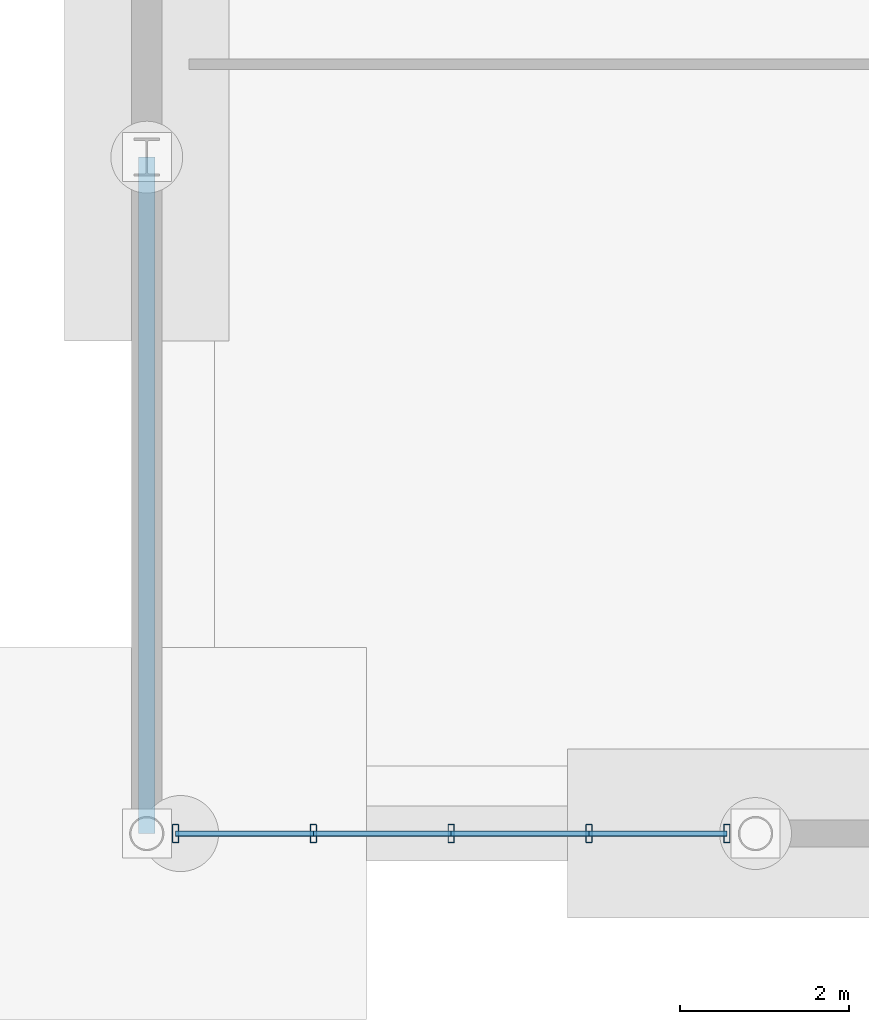
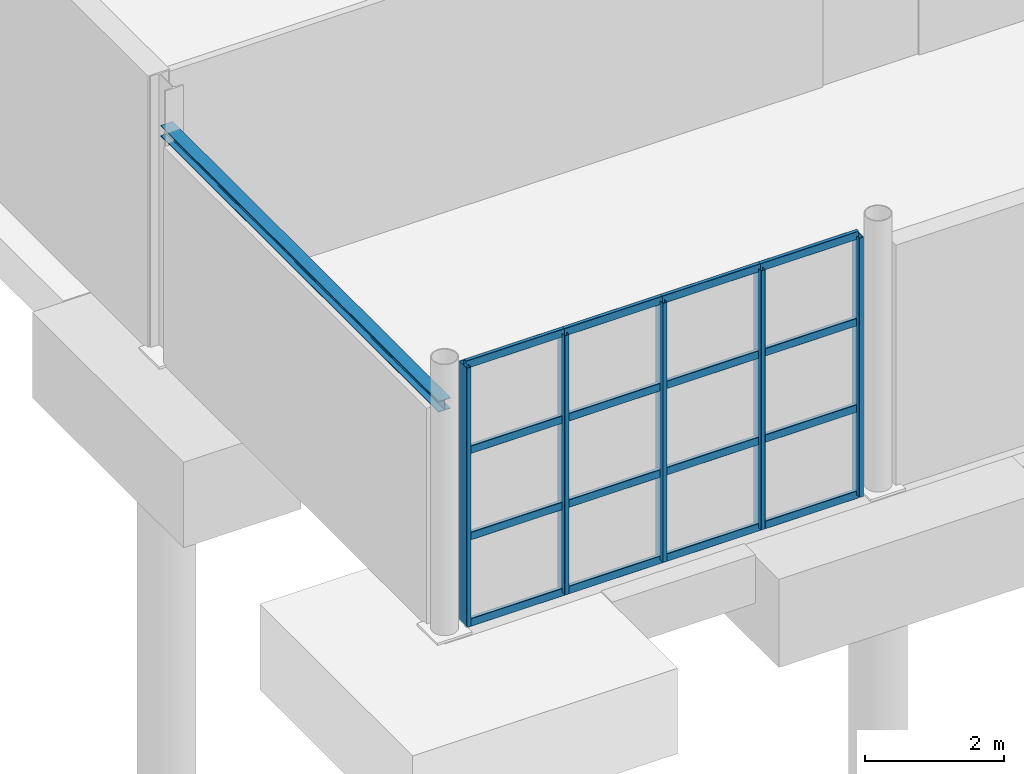
# One storey, part 42 of 101: 21 members, 1 beam, 1 element without a shape of its own.
"""IFC4 building model written with IfcOpenShell, lengths in metres."""

from ifc_helpers import new_model, si_unit, derived_unit, direction, frame, origin, origin_2d, place, context, subcontext, project, spatial, hollow_rectangle, i_section, extrude, material, material_profile, profile_set, type_object, element, aggregate, save


model = new_model("IFC4")

# Units and contexts
model_context = context("Model", 3, precision=1e-05, world=origin(), true_north=direction((0.0, 1.0)))
body_context = subcontext(model_context, "Body", "Model", "MODEL_VIEW")
ifc_project = project(units=[si_unit("LENGTHUNIT", "METRE"), si_unit("AREAUNIT", "SQUARE_METRE"), si_unit("VOLUMEUNIT", "CUBIC_METRE"), si_unit("PLANEANGLEUNIT", "RADIAN"), si_unit("MASSUNIT", "GRAM", prefix="KILO"), derived_unit("THERMALTRANSMITTANCEUNIT", [(si_unit("POWERUNIT", "WATT"), 1), (si_unit("LENGTHUNIT", "METRE"), -2), (si_unit("THERMODYNAMICTEMPERATUREUNIT", "KELVIN"), -1)])], contexts=[model_context])

# Site, building, storey
site_placement = place(None, origin())
site = spatial("IfcSite", under=ifc_project, at=site_placement, CompositionType="ELEMENT")
building_placement = place(site_placement, origin())
building = spatial("IfcBuilding", under=site, at=building_placement, Name="Keldorne Ridge Multi-Sports Centre", CompositionType="ELEMENT")
storey_placement = place(building_placement, origin())
storey = spatial("IfcBuildingStorey", under=building, at=storey_placement, Name="L00", CompositionType="ELEMENT", Elevation=0.0)

# Beam
ifc_material_1 = material(Name="Steel S355", Category="steel")
ifc_material_profile_1 = material_profile(ifc_material_1, i_section(OverallWidth=0.199951171875, OverallDepth=0.18994140625, WebThickness=0.006591796875, FlangeThickness=0.010009765625, FilletRadius=0.01806640625, at=origin_2d()), Name="HEA 200")
ifc_profile_set_1 = profile_set([ifc_material_profile_1], Name="Steel S355")
beam_type = type_object("IfcBeamType", Name="BM-LN-01", PredefinedType="LINTEL", material=ifc_profile_set_1)
beam_placement = place(storey_placement, frame((6.0, 74.0, 3.949951171875), z_axis=(0.0, 1.0, 0.0), x_axis=(-1.0, 0.0, 0.0)))
element("IfcBeam", 1, at=beam_placement, inside=storey, type_object=beam_type, Name="Opening head lintel beam LNT-06", PredefinedType="LINTEL", context=body_context, shape_type="SweptSolid", body=[
    extrude(i_section(OverallWidth=0.199951171875, OverallDepth=0.18994140625, WebThickness=0.006591796875, FlangeThickness=0.010009765625, FilletRadius=0.01806640625, at=origin_2d()), origin(), (0.0, 0.0, 1.0), 8.0),
])

# Curtain wall, members
ifc_material_2 = material(Name="Anodized aluminium", Category="aluminium")
curtain_wall_type = type_object("IfcCurtainWallType", Name="CW-CW-02", PredefinedType="NOTDEFINED", material=ifc_material_2)
curtain_wall_placement = place(storey_placement, origin())
curtain_wall = element("IfcCurtainWall", 2, at=curtain_wall_placement, inside=storey, type_object=curtain_wall_type, Name="Climbing south curtain wall 034", PredefinedType="NOTDEFINED")
ifc_material_profile_2 = material_profile(ifc_material_2, hollow_rectangle(XDim=0.074951171875, YDim=0.219970703125, WallThickness=0.0048828125, InnerFilletRadius=0.0048828125, OuterFilletRadius=0.010009765625, at=origin_2d()), Name="ALU MULLION 220x75x5")
ifc_profile_set_2 = profile_set([ifc_material_profile_2], Name="Anodized aluminium")
member_type_1 = type_object("IfcMemberType", Name="MEM-ML-02", PredefinedType="MULLION", material=ifc_profile_set_2)
member_1_placement = place(storey_placement, frame((6.340087890625, 74.0, 0.0), z_axis=(0.0, 0.0, 1.0), x_axis=(1.0, 0.0, 0.0)))
member_1 = element("IfcMember", 3, at=member_1_placement, type_object=member_type_1, Name="CW-034 vertical mullion 1", PredefinedType="MULLION", context=body_context, shape_type="SweptSolid", body=[
    extrude(hollow_rectangle(XDim=0.074951171875, YDim=0.219970703125, WallThickness=0.0048828125, InnerFilletRadius=0.0048828125, OuterFilletRadius=0.010009765625, at=origin_2d()), origin(), (0.0, 0.0, 1.0), 4.550048828125),
])
member_2_placement = place(storey_placement, frame((7.969970703125, 74.0, 0.0), z_axis=(0.0, 0.0, 1.0), x_axis=(1.0, 0.0, 0.0)))
member_2 = element("IfcMember", 4, at=member_2_placement, type_object=member_type_1, Name="CW-034 vertical mullion 2", PredefinedType="MULLION", context=body_context, shape_type="SweptSolid", body=[
    extrude(hollow_rectangle(XDim=0.074951171875, YDim=0.219970703125, WallThickness=0.0048828125, InnerFilletRadius=0.0048828125, OuterFilletRadius=0.010009765625, at=origin_2d()), origin(), (0.0, 0.0, 1.0), 4.550048828125),
])
member_3_placement = place(storey_placement, frame((9.60009765625, 74.0, 0.0), z_axis=(0.0, 0.0, 1.0), x_axis=(1.0, 0.0, 0.0)))
member_3 = element("IfcMember", 5, at=member_3_placement, type_object=member_type_1, Name="CW-034 vertical mullion 3", PredefinedType="MULLION", context=body_context, shape_type="SweptSolid", body=[
    extrude(hollow_rectangle(XDim=0.074951171875, YDim=0.219970703125, WallThickness=0.0048828125, InnerFilletRadius=0.0048828125, OuterFilletRadius=0.010009765625, at=origin_2d()), origin(), (0.0, 0.0, 1.0), 4.550048828125),
])
member_4_placement = place(storey_placement, frame((11.22998046875, 74.0, 0.0), z_axis=(0.0, 0.0, 1.0), x_axis=(1.0, 0.0, 0.0)))
member_4 = element("IfcMember", 6, at=member_4_placement, type_object=member_type_1, Name="CW-034 vertical mullion 4", PredefinedType="MULLION", context=body_context, shape_type="SweptSolid", body=[
    extrude(hollow_rectangle(XDim=0.074951171875, YDim=0.219970703125, WallThickness=0.0048828125, InnerFilletRadius=0.0048828125, OuterFilletRadius=0.010009765625, at=origin_2d()), origin(), (0.0, 0.0, 1.0), 4.550048828125),
])
member_5_placement = place(storey_placement, frame((12.860107421875, 74.0, 0.0), z_axis=(0.0, 0.0, 1.0), x_axis=(1.0, 0.0, 0.0)))
member_5 = element("IfcMember", 7, at=member_5_placement, type_object=member_type_1, Name="CW-034 vertical mullion 5", PredefinedType="MULLION", context=body_context, shape_type="SweptSolid", body=[
    extrude(hollow_rectangle(XDim=0.074951171875, YDim=0.219970703125, WallThickness=0.0048828125, InnerFilletRadius=0.0048828125, OuterFilletRadius=0.010009765625, at=origin_2d()), origin(), (0.0, 0.0, 1.0), 4.550048828125),
])
ifc_material_profile_3 = material_profile(ifc_material_2, hollow_rectangle(XDim=0.06494140625, YDim=0.139892578125, WallThickness=0.00439453125, InnerFilletRadius=0.00439453125, OuterFilletRadius=0.009033203125, at=origin_2d()), Name="ALU TRANSOM 140x65x4.5")
ifc_profile_set_3 = profile_set([ifc_material_profile_3], Name="Anodized aluminium")
member_type_2 = type_object("IfcMemberType", Name="MEM-TR-01", PredefinedType="USERDEFINED", material=ifc_profile_set_3)
member_6_placement = place(storey_placement, frame((6.340087890625, 74.0, 0.0), z_axis=(1.0, 0.0, 0.0), x_axis=(0.0, 1.0, 0.0)))
member_6 = element("IfcMember", 8, at=member_6_placement, type_object=member_type_2, Name="CW-034 transom 1.1", ObjectType="TRANSOM", PredefinedType="USERDEFINED", context=body_context, shape_type="SweptSolid", body=[
    extrude(hollow_rectangle(XDim=0.06494140625, YDim=0.139892578125, WallThickness=0.00439453125, InnerFilletRadius=0.00439453125, OuterFilletRadius=0.009033203125, at=origin_2d()), origin(), (0.0, 0.0, 1.0), 1.6298828125),
])
member_7_placement = place(storey_placement, frame((6.340087890625, 74.0, 1.5166015625), z_axis=(1.0, 0.0, 0.0), x_axis=(0.0, 1.0, 0.0)))
member_7 = element("IfcMember", 9, at=member_7_placement, type_object=member_type_2, Name="CW-034 transom 1.2", ObjectType="TRANSOM", PredefinedType="USERDEFINED", context=body_context, shape_type="SweptSolid", body=[
    extrude(hollow_rectangle(XDim=0.06494140625, YDim=0.139892578125, WallThickness=0.00439453125, InnerFilletRadius=0.00439453125, OuterFilletRadius=0.009033203125, at=origin_2d()), origin(), (0.0, 0.0, 1.0), 1.6298828125),
])
member_8_placement = place(storey_placement, frame((6.340087890625, 74.0, 3.033203125), z_axis=(1.0, 0.0, 0.0), x_axis=(0.0, 1.0, 0.0)))
member_8 = element("IfcMember", 10, at=member_8_placement, type_object=member_type_2, Name="CW-034 transom 1.3", ObjectType="TRANSOM", PredefinedType="USERDEFINED", context=body_context, shape_type="SweptSolid", body=[
    extrude(hollow_rectangle(XDim=0.06494140625, YDim=0.139892578125, WallThickness=0.00439453125, InnerFilletRadius=0.00439453125, OuterFilletRadius=0.009033203125, at=origin_2d()), origin(), (0.0, 0.0, 1.0), 1.6298828125),
])
member_9_placement = place(storey_placement, frame((6.340087890625, 74.0, 4.550048828125), z_axis=(1.0, 0.0, 0.0), x_axis=(0.0, 1.0, 0.0)))
member_9 = element("IfcMember", 11, at=member_9_placement, type_object=member_type_2, Name="CW-034 transom 1.4", ObjectType="TRANSOM", PredefinedType="USERDEFINED", context=body_context, shape_type="SweptSolid", body=[
    extrude(hollow_rectangle(XDim=0.06494140625, YDim=0.139892578125, WallThickness=0.00439453125, InnerFilletRadius=0.00439453125, OuterFilletRadius=0.009033203125, at=origin_2d()), origin(), (0.0, 0.0, 1.0), 1.6298828125),
])
member_10_placement = place(storey_placement, frame((7.969970703125, 74.0, 0.0), z_axis=(1.0, 0.0, 0.0), x_axis=(0.0, 1.0, 0.0)))
member_10 = element("IfcMember", 12, at=member_10_placement, type_object=member_type_2, Name="CW-034 transom 2.1", ObjectType="TRANSOM", PredefinedType="USERDEFINED", context=body_context, shape_type="SweptSolid", body=[
    extrude(hollow_rectangle(XDim=0.06494140625, YDim=0.139892578125, WallThickness=0.00439453125, InnerFilletRadius=0.00439453125, OuterFilletRadius=0.009033203125, at=origin_2d()), origin(), (0.0, 0.0, 1.0), 1.630126953125),
])
member_11_placement = place(storey_placement, frame((7.969970703125, 74.0, 1.5166015625), z_axis=(1.0, 0.0, 0.0), x_axis=(0.0, 1.0, 0.0)))
member_11 = element("IfcMember", 13, at=member_11_placement, type_object=member_type_2, Name="CW-034 transom 2.2", ObjectType="TRANSOM", PredefinedType="USERDEFINED", context=body_context, shape_type="SweptSolid", body=[
    extrude(hollow_rectangle(XDim=0.06494140625, YDim=0.139892578125, WallThickness=0.00439453125, InnerFilletRadius=0.00439453125, OuterFilletRadius=0.009033203125, at=origin_2d()), origin(), (0.0, 0.0, 1.0), 1.630126953125),
])
member_12_placement = place(storey_placement, frame((7.969970703125, 74.0, 3.033203125), z_axis=(1.0, 0.0, 0.0), x_axis=(0.0, 1.0, 0.0)))
member_12 = element("IfcMember", 14, at=member_12_placement, type_object=member_type_2, Name="CW-034 transom 2.3", ObjectType="TRANSOM", PredefinedType="USERDEFINED", context=body_context, shape_type="SweptSolid", body=[
    extrude(hollow_rectangle(XDim=0.06494140625, YDim=0.139892578125, WallThickness=0.00439453125, InnerFilletRadius=0.00439453125, OuterFilletRadius=0.009033203125, at=origin_2d()), origin(), (0.0, 0.0, 1.0), 1.630126953125),
])
member_13_placement = place(storey_placement, frame((7.969970703125, 74.0, 4.550048828125), z_axis=(1.0, 0.0, 0.0), x_axis=(0.0, 1.0, 0.0)))
member_13 = element("IfcMember", 15, at=member_13_placement, type_object=member_type_2, Name="CW-034 transom 2.4", ObjectType="TRANSOM", PredefinedType="USERDEFINED", context=body_context, shape_type="SweptSolid", body=[
    extrude(hollow_rectangle(XDim=0.06494140625, YDim=0.139892578125, WallThickness=0.00439453125, InnerFilletRadius=0.00439453125, OuterFilletRadius=0.009033203125, at=origin_2d()), origin(), (0.0, 0.0, 1.0), 1.630126953125),
])
member_14_placement = place(storey_placement, frame((9.60009765625, 74.0, 0.0), z_axis=(1.0, 0.0, 0.0), x_axis=(0.0, 1.0, 0.0)))
member_14 = element("IfcMember", 16, at=member_14_placement, type_object=member_type_2, Name="CW-034 transom 3.1", ObjectType="TRANSOM", PredefinedType="USERDEFINED", context=body_context, shape_type="SweptSolid", body=[
    extrude(hollow_rectangle(XDim=0.06494140625, YDim=0.139892578125, WallThickness=0.00439453125, InnerFilletRadius=0.00439453125, OuterFilletRadius=0.009033203125, at=origin_2d()), origin(), (0.0, 0.0, 1.0), 1.6298828125),
])
member_15_placement = place(storey_placement, frame((9.60009765625, 74.0, 1.5166015625), z_axis=(1.0, 0.0, 0.0), x_axis=(0.0, 1.0, 0.0)))
member_15 = element("IfcMember", 17, at=member_15_placement, type_object=member_type_2, Name="CW-034 transom 3.2", ObjectType="TRANSOM", PredefinedType="USERDEFINED", context=body_context, shape_type="SweptSolid", body=[
    extrude(hollow_rectangle(XDim=0.06494140625, YDim=0.139892578125, WallThickness=0.00439453125, InnerFilletRadius=0.00439453125, OuterFilletRadius=0.009033203125, at=origin_2d()), origin(), (0.0, 0.0, 1.0), 1.6298828125),
])
member_16_placement = place(storey_placement, frame((9.60009765625, 74.0, 3.033203125), z_axis=(1.0, 0.0, 0.0), x_axis=(0.0, 1.0, 0.0)))
member_16 = element("IfcMember", 18, at=member_16_placement, type_object=member_type_2, Name="CW-034 transom 3.3", ObjectType="TRANSOM", PredefinedType="USERDEFINED", context=body_context, shape_type="SweptSolid", body=[
    extrude(hollow_rectangle(XDim=0.06494140625, YDim=0.139892578125, WallThickness=0.00439453125, InnerFilletRadius=0.00439453125, OuterFilletRadius=0.009033203125, at=origin_2d()), origin(), (0.0, 0.0, 1.0), 1.6298828125),
])
member_17_placement = place(storey_placement, frame((9.60009765625, 74.0, 4.550048828125), z_axis=(1.0, 0.0, 0.0), x_axis=(0.0, 1.0, 0.0)))
member_17 = element("IfcMember", 19, at=member_17_placement, type_object=member_type_2, Name="CW-034 transom 3.4", ObjectType="TRANSOM", PredefinedType="USERDEFINED", context=body_context, shape_type="SweptSolid", body=[
    extrude(hollow_rectangle(XDim=0.06494140625, YDim=0.139892578125, WallThickness=0.00439453125, InnerFilletRadius=0.00439453125, OuterFilletRadius=0.009033203125, at=origin_2d()), origin(), (0.0, 0.0, 1.0), 1.6298828125),
])
member_18_placement = place(storey_placement, frame((11.22998046875, 74.0, 0.0), z_axis=(1.0, 0.0, 0.0), x_axis=(0.0, 1.0, 0.0)))
member_18 = element("IfcMember", 20, at=member_18_placement, type_object=member_type_2, Name="CW-034 transom 4.1", ObjectType="TRANSOM", PredefinedType="USERDEFINED", context=body_context, shape_type="SweptSolid", body=[
    extrude(hollow_rectangle(XDim=0.06494140625, YDim=0.139892578125, WallThickness=0.00439453125, InnerFilletRadius=0.00439453125, OuterFilletRadius=0.009033203125, at=origin_2d()), origin(), (0.0, 0.0, 1.0), 1.630126953125),
])
member_19_placement = place(storey_placement, frame((11.22998046875, 74.0, 1.5166015625), z_axis=(1.0, 0.0, 0.0), x_axis=(0.0, 1.0, 0.0)))
member_19 = element("IfcMember", 21, at=member_19_placement, type_object=member_type_2, Name="CW-034 transom 4.2", ObjectType="TRANSOM", PredefinedType="USERDEFINED", context=body_context, shape_type="SweptSolid", body=[
    extrude(hollow_rectangle(XDim=0.06494140625, YDim=0.139892578125, WallThickness=0.00439453125, InnerFilletRadius=0.00439453125, OuterFilletRadius=0.009033203125, at=origin_2d()), origin(), (0.0, 0.0, 1.0), 1.630126953125),
])
member_20_placement = place(storey_placement, frame((11.22998046875, 74.0, 3.033203125), z_axis=(1.0, 0.0, 0.0), x_axis=(0.0, 1.0, 0.0)))
member_20 = element("IfcMember", 22, at=member_20_placement, type_object=member_type_2, Name="CW-034 transom 4.3", ObjectType="TRANSOM", PredefinedType="USERDEFINED", context=body_context, shape_type="SweptSolid", body=[
    extrude(hollow_rectangle(XDim=0.06494140625, YDim=0.139892578125, WallThickness=0.00439453125, InnerFilletRadius=0.00439453125, OuterFilletRadius=0.009033203125, at=origin_2d()), origin(), (0.0, 0.0, 1.0), 1.630126953125),
])
member_21_placement = place(storey_placement, frame((11.22998046875, 74.0, 4.550048828125), z_axis=(1.0, 0.0, 0.0), x_axis=(0.0, 1.0, 0.0)))
member_21 = element("IfcMember", 23, at=member_21_placement, type_object=member_type_2, Name="CW-034 transom 4.4", ObjectType="TRANSOM", PredefinedType="USERDEFINED", context=body_context, shape_type="SweptSolid", body=[
    extrude(hollow_rectangle(XDim=0.06494140625, YDim=0.139892578125, WallThickness=0.00439453125, InnerFilletRadius=0.00439453125, OuterFilletRadius=0.009033203125, at=origin_2d()), origin(), (0.0, 0.0, 1.0), 1.630126953125),
])
aggregate(curtain_wall, [member_1, member_2, member_3, member_4, member_5, member_6, member_7, member_8, member_9, member_10, member_11, member_12, member_13, member_14, member_15, member_16, member_17, member_18, member_19, member_20, member_21])

save(model, "model.ifc")
